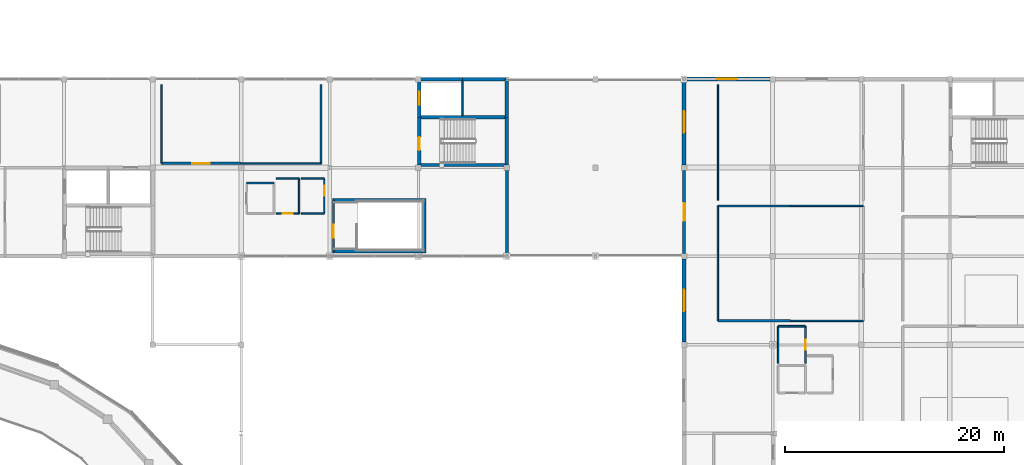
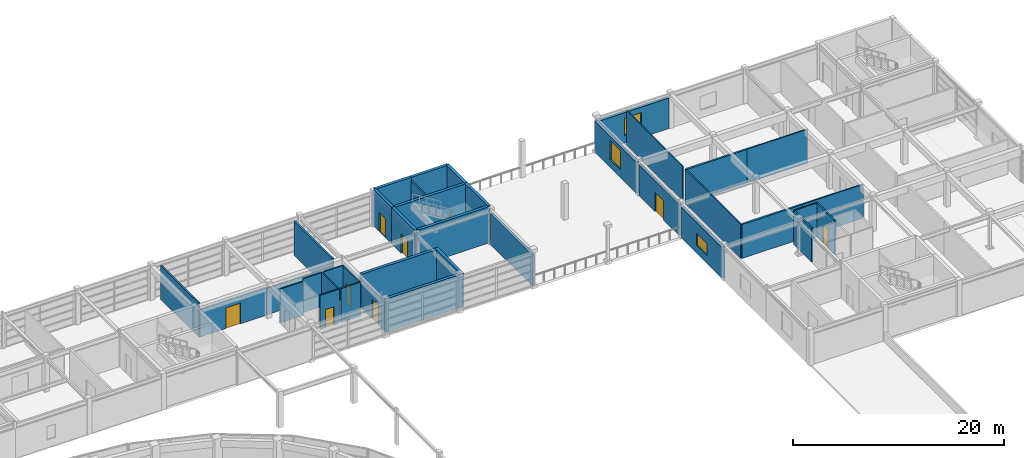
# One storey, part 44 of 54: 38 walls, 8 doors, 3 windows, 11 openings.
"""IFC4 building model written with IfcOpenShell, lengths in metres."""

from ifc_helpers import new_model, si_unit, direction, frame, frame_2d, origin, place, context, subcontext, project, spatial, rectangle, extrude, material, layer, layer_set, type_object, element, fill, save


model = new_model("IFC4")

# Units and contexts
model_context = context("Model", 3, precision=1e-05, world=origin(), true_north=direction((0.0, 1.0)))
body_context = subcontext(model_context, "Body", "Model", "MODEL_VIEW")
ifc_project = project(units=[si_unit("LENGTHUNIT", "METRE"), si_unit("AREAUNIT", "SQUARE_METRE"), si_unit("VOLUMEUNIT", "CUBIC_METRE"), si_unit("PLANEANGLEUNIT", "RADIAN"), si_unit("MASSUNIT", "GRAM", prefix="KILO")], contexts=[model_context])

# Site, building, storey
site_placement = place(None, origin())
site = spatial("IfcSite", under=ifc_project, at=site_placement, CompositionType="ELEMENT")
building_placement = place(site_placement, origin())
building = spatial("IfcBuilding", under=site, at=building_placement, Name="Parian Resonance Hall", CompositionType="ELEMENT")
storey_placement = place(building_placement, frame((0.0, 0.0, 15.0)))
storey = spatial("IfcBuildingStorey", under=building, at=storey_placement, Name="L03", CompositionType="ELEMENT", Elevation=15.0)

# Wall, opening, door
ifc_material_1 = material(Name="Concrete C40/50", Category="concrete")
ifc_layer_1 = layer(ifc_material_1, 0.31005859375)
ifc_layer_set_1 = layer_set([ifc_layer_1], Name="Concrete C40/50")
wall_type_1 = type_object("IfcWallType", Name="CW310", PredefinedType="SHEAR", material=ifc_layer_set_1)
wall_1_placement = place(storey_placement, frame((89.18994140625, 81.25, 0.0), z_axis=(0.0, 0.0, 1.0), x_axis=(0.0, 1.0, 0.0)))
wall_1 = element("IfcWall", 1, at=wall_1_placement, inside=storey, type_object=wall_type_1, Name="Core K5 stairwell west shear wall L03", PredefinedType="SHEAR", context=body_context, shape_type="SweptSolid", body=[
    extrude(rectangle(XDim=4.360107421875, YDim=0.31005859375, at=frame_2d((2.18017578125, 0.0))), origin(), (0.0, 0.0, 1.0), 4.199951171875),
])
opening_1_placement = place(wall_1_placement, frame((1.35009765625, 0.0, 0.0)))
opening_1 = element("IfcOpeningElement", 2, at=opening_1_placement, cuts=wall_1, Name="Opening FD-01", PredefinedType="OPENING", context=body_context, shape_type="SweptSolid", body=[
    extrude(rectangle(XDim=1.199951171875, YDim=2.25, at=frame_2d((0.60009765625, 1.125))), frame((0.0, 0.1650390625, 0.0), z_axis=(0.0, -1.0, 0.0), x_axis=(1.0, 0.0, 0.0)), (0.0, 0.0, 1.0), 0.330078125),
])
ifc_material_2 = material(Name="Fire-rated acoustic steel and narra timber door", Category="steel")
door_type_1 = type_object("IfcDoorType", Name="FD-01", OperationType="NOTDEFINED", PredefinedType="DOOR", material=ifc_material_2)
door_1_placement = place(opening_1_placement, origin())
door_1 = element("IfcDoor", 3, at=door_1_placement, inside=storey, type_object=door_type_1, Name="Exit stair ST-05 fire door L03", OperationType="SINGLE_SWING_LEFT", OverallHeight=2.25, OverallWidth=1.199951171875, PredefinedType="DOOR", context=body_context, shape_type="SweptSolid", body=[
    extrude(rectangle(XDim=1.199951171875, YDim=2.25, at=frame_2d((0.60009765625, 1.125))), frame((0.0, 0.02490234375, 0.0), z_axis=(0.0, -1.0, 0.0), x_axis=(1.0, 0.0, 0.0)), (0.0, 0.0, 1.0), 0.050048828125),
])
fill(opening_1, door_1)

wall_2_placement = place(storey_placement, frame((89.18994140625, 85.610107421875, 0.0), z_axis=(0.0, 0.0, 1.0), x_axis=(0.0, 1.0, 0.0)))
wall_2 = element("IfcWall", 4, at=wall_2_placement, inside=storey, type_object=wall_type_1, Name="Core K5 lift shaft west shear wall L03", PredefinedType="SHEAR", context=body_context, shape_type="SweptSolid", body=[
    extrude(rectangle(XDim=3.489990234375, YDim=0.31005859375, at=frame_2d((1.7451171875, 0.0))), origin(), (0.0, 0.0, 1.0), 4.199951171875),
])
opening_2_placement = place(wall_2_placement, frame((1.14501953125, 0.0, 0.0)))
opening_2 = element("IfcOpeningElement", 5, at=opening_2_placement, cuts=wall_2, Name="Opening LD-01", PredefinedType="OPENING", context=body_context, shape_type="SweptSolid", body=[
    extrude(rectangle(XDim=1.199951171875, YDim=2.199951171875, at=frame_2d((0.60009765625, 1.10009765625))), frame((0.0, 0.1650390625, 0.0), z_axis=(0.0, -1.0, 0.0), x_axis=(1.0, 0.0, 0.0)), (0.0, 0.0, 1.0), 0.330078125),
])
ifc_material_3 = material(Name="Stainless steel and bronze elevator cab", Category="steel")
door_type_2 = type_object("IfcDoorType", Name="DOOR-LIFT-1200x2200", OperationType="SLIDING_TO_LEFT", PredefinedType="DOOR", material=ifc_material_3)
door_2_placement = place(opening_2_placement, origin())
door_2 = element("IfcDoor", 6, at=door_2_placement, inside=storey, type_object=door_type_2, Name="Lift LF-06 sliding landing door L03", OperationType="SLIDING_TO_LEFT", OverallHeight=2.199951171875, OverallWidth=1.199951171875, PredefinedType="DOOR", context=body_context, shape_type="SweptSolid", body=[
    extrude(rectangle(XDim=1.199951171875, YDim=2.199951171875, at=frame_2d((0.60009765625, 1.10009765625))), frame((0.0, 0.02490234375, 0.0), z_axis=(0.0, -1.0, 0.0), x_axis=(1.0, 0.0, 0.0)), (0.0, 0.0, 1.0), 0.050048828125),
])
fill(opening_2, door_2)

# Walls
wall_3_placement = place(storey_placement, frame((89.18994140625, 89.10009765625, 0.0), z_axis=(0.0, 0.0, 1.0), x_axis=(1.0, 0.0, 0.0)))
element("IfcWall", 7, at=wall_3_placement, inside=storey, type_object=wall_type_1, Name="Core K5 north-west shaft wall L03", PredefinedType="SHEAR", context=body_context, shape_type="SweptSolid", body=[
    extrude(rectangle(XDim=3.9599609375, YDim=0.31005859375, at=frame_2d((1.97998046875, 0.0))), origin(), (0.0, 0.0, 1.0), 4.199951171875),
])
wall_4_placement = place(storey_placement, frame((93.14990234375, 89.10009765625, 0.0), z_axis=(0.0, 0.0, 1.0), x_axis=(1.0, 0.0, 0.0)))
element("IfcWall", 8, at=wall_4_placement, inside=storey, type_object=wall_type_1, Name="Core K5 north-east shaft wall L03", PredefinedType="SHEAR", context=body_context, shape_type="SweptSolid", body=[
    extrude(rectangle(XDim=4.02001953125, YDim=0.31005859375, at=frame_2d((2.010009765625, 0.0))), origin(), (0.0, 0.0, 1.0), 4.199951171875),
])
wall_5_placement = place(storey_placement, frame((97.169921875, 89.10009765625, 0.0), z_axis=(0.0, 0.0, 1.0), x_axis=(0.0, -1.0, 0.0)))
element("IfcWall", 9, at=wall_5_placement, inside=storey, type_object=wall_type_1, Name="Core K5 east shaft wall L03", PredefinedType="SHEAR", context=body_context, shape_type="SweptSolid", body=[
    extrude(rectangle(XDim=3.489990234375, YDim=0.31005859375, at=frame_2d((1.7451171875, 0.0))), origin(), (0.0, 0.0, 1.0), 4.199951171875),
])
wall_6_placement = place(storey_placement, frame((97.169921875, 85.610107421875, 0.0), z_axis=(0.0, 0.0, 1.0), x_axis=(0.0, -1.0, 0.0)))
element("IfcWall", 10, at=wall_6_placement, inside=storey, type_object=wall_type_1, Name="Core K5 stairwell east wall L03", PredefinedType="SHEAR", context=body_context, shape_type="SweptSolid", body=[
    extrude(rectangle(XDim=4.360107421875, YDim=0.31005859375, at=frame_2d((2.18017578125, 0.0))), origin(), (0.0, 0.0, 1.0), 4.199951171875),
])
for number, where, z_axis, x_axis, name in (
    (11, (97.169921875, 81.25, 0.0), (0.0, 0.0, 1.0), (-1.0, 0.0, 0.0), "Core K5 stairwell south wall L03"),
    (12, (89.18994140625, 85.610107421875, 0.0), (0.0, 0.0, 1.0), (1.0, 0.0, 0.0), "Core K5 stair-lift divider wall L03"),
):
    element("IfcWall", number, at=place(storey_placement, frame(where, z_axis=z_axis, x_axis=x_axis)), inside=storey, type_object=wall_type_1, Name=name, PredefinedType="SHEAR", context=body_context, shape_type="SweptSolid", body=[
        extrude(rectangle(XDim=7.97998046875, YDim=0.31005859375, at=frame_2d((3.989990234375, 0.0))), origin(), (0.0, 0.0, 1.0), 4.199951171875),
    ])
wall_7_placement = place(storey_placement, frame((81.25, 73.35009765625, 0.0), z_axis=(0.0, 0.0, 1.0), x_axis=(1.0, 0.0, 0.0)))
element("IfcWall", 13, at=wall_7_placement, inside=storey, type_object=wall_type_1, Name="Enclosed foyer exit stair ST-08 shear wall L03-S", PredefinedType="SHEAR", context=body_context, shape_type="SweptSolid", body=[
    extrude(rectangle(XDim=8.544921875, YDim=0.31005859375, at=frame_2d((4.2724609375, 0.0))), origin(), (0.0, 0.0, 1.0), 3.85009765625),
])
wall_8_placement = place(storey_placement, frame((89.639892578125, 73.195068359375, 0.0), z_axis=(0.0, 0.0, 1.0), x_axis=(0.0, 1.0, 0.0)))
element("IfcWall", 14, at=wall_8_placement, inside=storey, type_object=wall_type_1, Name="Enclosed foyer exit stair ST-08 shear wall L03-E", PredefinedType="SHEAR", context=body_context, shape_type="SweptSolid", body=[
    extrude(rectangle(XDim=4.989990234375, YDim=0.31005859375, at=frame_2d((2.4951171875, 0.0))), origin(), (0.0, 0.0, 1.0), 3.85009765625),
])
wall_9_placement = place(storey_placement, frame((89.794921875, 78.030029296875, 0.0), z_axis=(0.0, 0.0, 1.0), x_axis=(-1.0, 0.0, 0.0)))
element("IfcWall", 15, at=wall_9_placement, inside=storey, type_object=wall_type_1, Name="Enclosed foyer exit stair ST-08 shear wall L03-N", PredefinedType="SHEAR", context=body_context, shape_type="SweptSolid", body=[
    extrude(rectangle(XDim=8.544921875, YDim=0.31005859375, at=frame_2d((4.2724609375, 0.0))), origin(), (0.0, 0.0, 1.0), 3.85009765625),
])

# Wall, opening, window
ifc_material_4 = material(Name="Concrete C35/45 with Carcar coral-limestone ashlar", Category="masonry")
ifc_layer_2 = layer(ifc_material_4, 0.340087890625)
ifc_layer_set_2 = layer_set([ifc_layer_2], Name="Concrete C35/45 with Carcar coral-limestone ashlar")
wall_type_2 = type_object("IfcWallType", Name="EW-STONE-340", PredefinedType="SOLIDWALL", material=ifc_layer_set_2)
wall_10_placement = place(storey_placement, frame((121.25, 89.10009765625, 0.0), z_axis=(0.0, 0.0, 1.0), x_axis=(-1.0, 0.0, 0.0)))
wall_10 = element("IfcWall", 16, at=wall_10_placement, inside=storey, type_object=wall_type_2, Name="Perimeter closure wall L03", PredefinedType="SOLIDWALL", context=body_context, shape_type="SweptSolid", body=[
    extrude(rectangle(XDim=7.85009765625, YDim=0.340087890625, at=frame_2d((3.925048828125, 0.0))), origin(), (0.0, 0.0, 1.0), 3.527099609375),
])
opening_3_placement = place(wall_10_placement, frame((3.0, 0.0, 0.89990234375)))
opening_3 = element("IfcOpeningElement", 17, at=opening_3_placement, cuts=wall_10, Name="Opening WN-34", PredefinedType="OPENING", context=body_context, shape_type="SweptSolid", body=[
    extrude(rectangle(XDim=1.85009765625, YDim=2.0, at=frame_2d((0.925048828125, 1.0))), frame((0.0, 0.179931640625, 0.0), z_axis=(0.0, -1.0, 0.0), x_axis=(1.0, 0.0, 0.0)), (0.0, 0.0, 1.0), 0.360107421875),
])
ifc_material_5 = material(Name="Acoustic laminated double glazing", Category="glass")
window_type_1 = type_object("IfcWindowType", Name="WIN-1850x2000", PartitioningType="SINGLE_PANEL", PredefinedType="WINDOW", material=ifc_material_5)
window_1_placement = place(opening_3_placement, origin())
window_1 = element("IfcWindow", 18, at=window_1_placement, inside=storey, type_object=window_type_1, Name="Acoustic window L03-0105", OverallHeight=2.0, OverallWidth=1.85009765625, PartitioningType="SINGLE_PANEL", PredefinedType="WINDOW", context=body_context, shape_type="SweptSolid", body=[
    extrude(rectangle(XDim=1.85009765625, YDim=2.0, at=frame_2d((0.925048828125, 1.0))), frame((0.0, 0.030029296875, 0.0), z_axis=(0.0, -1.0, 0.0), x_axis=(1.0, 0.0, 0.0)), (0.0, 0.0, 1.0), 0.06005859375),
])
fill(opening_3, window_1)

wall_11_placement = place(storey_placement, frame((113.39990234375, 89.10009765625, 0.0), z_axis=(0.0, 0.0, 1.0), x_axis=(0.0, -1.0, 0.0)))
wall_11 = element("IfcWall", 19, at=wall_11_placement, inside=storey, type_object=wall_type_2, Name="Perimeter closure wall L03", PredefinedType="SOLIDWALL", context=body_context, shape_type="SweptSolid", body=[
    extrude(rectangle(XDim=7.85009765625, YDim=0.340087890625, at=frame_2d((3.925048828125, 0.0))), origin(), (0.0, 0.0, 1.0), 3.5869140625),
])
opening_4_placement = place(wall_11_placement, frame((2.925048828125, 0.0, 0.89990234375)))
opening_4 = element("IfcOpeningElement", 20, at=opening_4_placement, cuts=wall_11, Name="Opening WN-38", PredefinedType="OPENING", context=body_context, shape_type="SweptSolid", body=[
    extrude(rectangle(XDim=2.0, YDim=2.199951171875, at=frame_2d((1.0, 1.10009765625))), frame((0.0, 0.179931640625, 0.0), z_axis=(0.0, -1.0, 0.0), x_axis=(1.0, 0.0, 0.0)), (0.0, 0.0, 1.0), 0.360107421875),
])
ifc_material_6 = material(Name="Acoustic laminated double glazing", Category="glass")
window_type_2 = type_object("IfcWindowType", Name="WIN-2000x2200", PartitioningType="SINGLE_PANEL", PredefinedType="WINDOW", material=ifc_material_6)
window_2_placement = place(opening_4_placement, origin())
window_2 = element("IfcWindow", 21, at=window_2_placement, inside=storey, type_object=window_type_2, Name="Acoustic window L03-0106", OverallHeight=2.199951171875, OverallWidth=2.0, PartitioningType="SINGLE_PANEL", PredefinedType="WINDOW", context=body_context, shape_type="SweptSolid", body=[
    extrude(rectangle(XDim=2.0, YDim=2.199951171875, at=frame_2d((1.0, 1.10009765625))), frame((0.0, 0.030029296875, 0.0), z_axis=(0.0, -1.0, 0.0), x_axis=(1.0, 0.0, 0.0)), (0.0, 0.0, 1.0), 0.06005859375),
])
fill(opening_4, window_2)

wall_12_placement = place(storey_placement, frame((113.39990234375, 72.64990234375, 0.0), z_axis=(0.0, 0.0, 1.0), x_axis=(0.0, -1.0, 0.0)))
wall_12 = element("IfcWall", 22, at=wall_12_placement, inside=storey, type_object=wall_type_2, Name="Perimeter closure wall L03", PredefinedType="SOLIDWALL", context=body_context, shape_type="SweptSolid", body=[
    extrude(rectangle(XDim=7.599853515625, YDim=0.340087890625, at=frame_2d((3.7998046875, 0.0))), origin(), (0.0, 0.0, 1.0), 3.5869140625),
])
opening_5_placement = place(wall_12_placement, frame((2.800048828125, 0.0, 0.89990234375)))
opening_5 = element("IfcOpeningElement", 23, at=opening_5_placement, cuts=wall_12, Name="Opening WN-36", PredefinedType="OPENING", context=body_context, shape_type="SweptSolid", body=[
    extrude(rectangle(XDim=2.0, YDim=1.39990234375, at=frame_2d((1.0, 0.699951171875))), frame((0.0, 0.179931640625, 0.0), z_axis=(0.0, -1.0, 0.0), x_axis=(1.0, 0.0, 0.0)), (0.0, 0.0, 1.0), 0.360107421875),
])
ifc_material_7 = material(Name="Acoustic laminated double glazing", Category="glass")
window_type_3 = type_object("IfcWindowType", Name="WIN-2000x1400", PartitioningType="SINGLE_PANEL", PredefinedType="WINDOW", material=ifc_material_7)
window_3_placement = place(opening_5_placement, origin())
window_3 = element("IfcWindow", 24, at=window_3_placement, inside=storey, type_object=window_type_3, Name="Acoustic window L03-0107", OverallHeight=1.39990234375, OverallWidth=2.0, PartitioningType="SINGLE_PANEL", PredefinedType="WINDOW", context=body_context, shape_type="SweptSolid", body=[
    extrude(rectangle(XDim=2.0, YDim=1.39990234375, at=frame_2d((1.0, 0.699951171875))), frame((0.0, 0.030029296875, 0.0), z_axis=(0.0, -1.0, 0.0), x_axis=(1.0, 0.0, 0.0)), (0.0, 0.0, 1.0), 0.06005859375),
])
fill(opening_5, window_3)

# Wall
ifc_material_8 = material(Name="Concrete C35/45 with Carcar coral-limestone ashlar", Category="masonry")
ifc_layer_3 = layer(ifc_material_8, 0.27001953125)
ifc_layer_set_3 = layer_set([ifc_layer_3], Name="Concrete C35/45 with Carcar coral-limestone ashlar")
wall_type_3 = type_object("IfcWallType", Name="EW-STUDIO-270", PredefinedType="SOLIDWALL", material=ifc_layer_set_3)
wall_13_placement = place(storey_placement, frame((97.199951171875, 80.75, 0.0), z_axis=(0.0, 0.0, 1.0), x_axis=(0.0, -1.0, 0.0)))
element("IfcWall", 25, at=wall_13_placement, inside=storey, type_object=wall_type_3, Name="Exterior wall EW-L03-0151", PredefinedType="SOLIDWALL", context=body_context, shape_type="SweptSolid", body=[
    extrude(rectangle(XDim=7.85009765625, YDim=0.27001953125, at=frame_2d((3.925048828125, 0.0))), origin(), (0.0, 0.0, 1.0), 3.596923828125),
])

# Wall, opening, door
wall_14_placement = place(storey_placement, frame((113.39990234375, 73.14990234375, 0.0), z_axis=(0.0, 0.0, 1.0), x_axis=(0.0, 1.0, 0.0)))
wall_14 = element("IfcWall", 26, at=wall_14_placement, inside=storey, type_object=wall_type_3, Name="Exterior wall EW-L03-0152", PredefinedType="SOLIDWALL", context=body_context, shape_type="SweptSolid", body=[
    extrude(rectangle(XDim=7.60009765625, YDim=0.27001953125, at=frame_2d((3.800048828125, 0.0))), origin(), (0.0, 0.0, 1.0), 3.5869140625),
])
opening_6_placement = place(wall_14_placement, frame((2.989990234375, 0.0, 0.0)))
opening_6 = element("IfcOpeningElement", 27, at=opening_6_placement, cuts=wall_14, Name="Opening TD-02", PredefinedType="OPENING", context=body_context, shape_type="SweptSolid", body=[
    extrude(rectangle(XDim=1.6201171875, YDim=2.219970703125, at=frame_2d((0.81005859375, 1.10986328125))), frame((0.0, 0.14501953125, 0.0), z_axis=(0.0, -1.0, 0.0), x_axis=(1.0, 0.0, 0.0)), (0.0, 0.0, 1.0), 0.2900390625),
])
ifc_material_9 = material(Name="Marine-grade bronze and acoustic glazed door")
door_type_3 = type_object("IfcDoorType", Name="ED-TERR-1620x2220", OperationType="NOTDEFINED", PredefinedType="DOOR", material=ifc_material_9)
door_3_placement = place(opening_6_placement, origin())
door_3 = element("IfcDoor", 28, at=door_3_placement, inside=storey, type_object=door_type_3, Name="Courtyard Roof Terrace studio access door TD-L03-E", OperationType="SINGLE_SWING_LEFT", OverallHeight=2.219970703125, OverallWidth=1.6201171875, PredefinedType="DOOR", context=body_context, shape_type="SweptSolid", body=[
    extrude(rectangle(XDim=1.6201171875, YDim=2.219970703125, at=frame_2d((0.81005859375, 1.10986328125))), frame((0.0, 0.02490234375, 0.0), z_axis=(0.0, -1.0, 0.0), x_axis=(1.0, 0.0, 0.0)), (0.0, 0.0, 1.0), 0.050048828125),
])
fill(opening_6, door_3)

ifc_material_10 = material(Name="Concrete C35/45 fire barrier", Category="concrete")
ifc_layer_4 = layer(ifc_material_10, 0.199951171875)
ifc_layer_set_4 = layer_set([ifc_layer_4], Name="Concrete C35/45 fire barrier")
wall_type_4 = type_object("IfcWallType", Name="FW200", PredefinedType="PARTITIONING", material=ifc_layer_set_4)
wall_15_placement = place(storey_placement, frame((81.35009765625, 73.35009765625, 0.0), z_axis=(0.0, 0.0, 1.0), x_axis=(0.0, 1.0, 0.0)))
wall_15 = element("IfcWall", 29, at=wall_15_placement, inside=storey, type_object=wall_type_4, Name="Enclosed foyer exit stair ST-08 fire-door front wall L03", PredefinedType="PARTITIONING", context=body_context, shape_type="SweptSolid", body=[
    extrude(rectangle(XDim=4.679931640625, YDim=0.199951171875, at=frame_2d((2.33984375, 0.0))), origin(), (0.0, 0.0, 1.0), 3.5),
])
opening_7_placement = place(wall_15_placement, frame((1.25, 0.0, 0.0)))
opening_7 = element("IfcOpeningElement", 30, at=opening_7_placement, cuts=wall_15, Name="Opening FD-01", PredefinedType="OPENING", context=body_context, shape_type="SweptSolid", body=[
    extrude(rectangle(XDim=1.199951171875, YDim=2.25, at=frame_2d((0.60009765625, 1.125))), frame((0.0, 0.10986328125, 0.0), z_axis=(0.0, -1.0, 0.0), x_axis=(1.0, 0.0, 0.0)), (0.0, 0.0, 1.0), 0.219970703125),
])
door_4_placement = place(opening_7_placement, origin())
door_4 = element("IfcDoor", 31, at=door_4_placement, inside=storey, type_object=door_type_1, Name="Exit stair ST-08 fire door L03", OperationType="SINGLE_SWING_LEFT", OverallHeight=2.25, OverallWidth=1.199951171875, PredefinedType="DOOR", context=body_context, shape_type="SweptSolid", body=[
    extrude(rectangle(XDim=1.199951171875, YDim=2.25, at=frame_2d((0.60009765625, 1.125))), frame((0.0, 0.02490234375, 0.0), z_axis=(0.0, -1.0, 0.0), x_axis=(1.0, 0.0, 0.0)), (0.0, 0.0, 1.0), 0.050048828125),
])
fill(opening_7, door_4)

# Wall
wall_16_placement = place(storey_placement, frame((80.199951171875, 88.60009765625, 0.0), z_axis=(0.0, 0.0, 1.0), x_axis=(0.0, -1.0, 0.0)))
element("IfcWall", 32, at=wall_16_placement, inside=storey, type_object=wall_type_4, Name="Interior acoustic partition IW-L03-0228", PredefinedType="PARTITIONING", context=body_context, shape_type="SweptSolid", body=[
    extrude(rectangle(XDim=7.2001953125, YDim=0.199951171875, at=frame_2d((3.60009765625, 0.0))), origin(), (0.0, 0.0, 1.0), 3.919921875),
])

# Wall, opening, door
wall_17_placement = place(storey_placement, frame((72.89990234375, 81.39990234375, 0.0), z_axis=(0.0, 0.0, 1.0), x_axis=(-1.0, 0.0, 0.0)))
wall_17 = element("IfcWall", 33, at=wall_17_placement, inside=storey, type_object=wall_type_4, Name="Interior acoustic partition IW-L03-0230", PredefinedType="PARTITIONING", context=body_context, shape_type="SweptSolid", body=[
    extrude(rectangle(XDim=7.2998046875, YDim=0.199951171875, at=frame_2d((3.64990234375, 0.0))), origin(), (0.0, 0.0, 1.0), 3.154052734375),
])
opening_8_placement = place(wall_17_placement, frame((2.85009765625, 0.0, 0.0)))
opening_8 = element("IfcOpeningElement", 34, at=opening_8_placement, cuts=wall_17, Name="Opening ID-07", PredefinedType="OPENING", context=body_context, shape_type="SweptSolid", body=[
    extrude(rectangle(XDim=1.60009765625, YDim=2.39990234375, at=frame_2d((0.800048828125, 1.199951171875))), frame((0.0, 0.10986328125, 0.0), z_axis=(0.0, -1.0, 0.0), x_axis=(1.0, 0.0, 0.0)), (0.0, 0.0, 1.0), 0.219970703125),
])
ifc_material_11 = material(Name="Fire-rated acoustic steel and narra timber door", Category="steel")
door_type_4 = type_object("IfcDoorType", Name="ID-REC-1600x2400", OperationType="NOTDEFINED", PredefinedType="DOOR", material=ifc_material_11)
door_5_placement = place(opening_8_placement, origin())
door_5 = element("IfcDoor", 35, at=door_5_placement, inside=storey, type_object=door_type_4, Name="Music Pedagogy Seminar Room 02 door", OperationType="SINGLE_SWING_RIGHT", OverallHeight=2.39990234375, OverallWidth=1.60009765625, PredefinedType="DOOR", context=body_context, shape_type="SweptSolid", body=[
    extrude(rectangle(XDim=1.60009765625, YDim=2.39990234375, at=frame_2d((0.800048828125, 1.199951171875))), frame((0.0, 0.02490234375, 0.0), z_axis=(0.0, -1.0, 0.0), x_axis=(1.0, 0.0, 0.0)), (0.0, 0.0, 1.0), 0.050048828125),
])
fill(opening_8, door_5)

# Walls
for number, where, z_axis, x_axis, name in (
    (36, (123.14990234375, 67.0, 0.0), (0.0, 0.0, 1.0), (-1.0, 0.0, 0.0), "Interior acoustic partition IW-L03-0240"),
    (37, (116.5, 77.5, 0.0), (0.0, 0.0, 1.0), (1.0, 0.0, 0.0), "Interior acoustic partition IW-L03-0242"),
):
    element("IfcWall", number, at=place(storey_placement, frame(where, z_axis=z_axis, x_axis=x_axis)), inside=storey, type_object=wall_type_4, Name=name, PredefinedType="PARTITIONING", context=body_context, shape_type="SweptSolid", body=[
        extrude(rectangle(XDim=6.64990234375, YDim=0.199951171875, at=frame_2d((3.324951171875, 0.0))), origin(), (0.0, 0.0, 1.0), 3.919921875),
    ])
ifc_material_12 = material(Name="Concrete C35/45 acoustic masonry partition", Category="masonry")
ifc_layer_5 = layer(ifc_material_12, 0.1201171875)
ifc_layer_set_5 = layer_set([ifc_layer_5], Name="Concrete C35/45 acoustic masonry partition")
wall_type_5 = type_object("IfcWallType", Name="PW120", PredefinedType="PARTITIONING", material=ifc_layer_set_5)
wall_18_placement = place(storey_placement, frame((116.5, 78.0, 0.0), z_axis=(0.0, 0.0, 1.0), x_axis=(0.0, 1.0, 0.0)))
element("IfcWall", 38, at=wall_18_placement, inside=storey, type_object=wall_type_5, Name="Interior acoustic partition IW-L03-0245", PredefinedType="PARTITIONING", context=body_context, shape_type="SweptSolid", body=[
    extrude(rectangle(XDim=10.60009765625, YDim=0.1201171875, at=frame_2d((5.300048828125, 0.0))), origin(), (0.0, 0.0, 1.0), 3.919921875),
])
ifc_material_13 = material(Name="Concrete C35/45 acoustic masonry partition", Category="masonry")
ifc_layer_6 = layer(ifc_material_13, 0.139892578125)
ifc_layer_set_6 = layer_set([ifc_layer_6], Name="Concrete C35/45 acoustic masonry partition")
wall_type_6 = type_object("IfcWallType", Name="PW140", PredefinedType="PARTITIONING", material=ifc_layer_set_6)
wall_19_placement = place(storey_placement, frame((80.199951171875, 81.39990234375, 0.0), z_axis=(0.0, 0.0, 1.0), x_axis=(-1.0, 0.0, 0.0)))
element("IfcWall", 39, at=wall_19_placement, inside=storey, type_object=wall_type_6, Name="Interior acoustic partition IW-L03-0229", PredefinedType="PARTITIONING", context=body_context, shape_type="SweptSolid", body=[
    extrude(rectangle(XDim=7.300048828125, YDim=0.139892578125, at=frame_2d((3.64990234375, 0.0))), origin(), (0.0, 0.0, 1.0), 3.053955078125),
])
wall_20_placement = place(storey_placement, frame((65.60009765625, 81.39990234375, 0.0), z_axis=(0.0, 0.0, 1.0), x_axis=(0.0, 1.0, 0.0)))
element("IfcWall", 40, at=wall_20_placement, inside=storey, type_object=wall_type_6, Name="Interior acoustic partition IW-L03-0231", PredefinedType="PARTITIONING", context=body_context, shape_type="SweptSolid", body=[
    extrude(rectangle(XDim=7.2001953125, YDim=0.139892578125, at=frame_2d((3.60009765625, 0.0))), origin(), (0.0, 0.0, 1.0), 3.919921875),
])
wall_21_placement = place(storey_placement, frame((129.800048828125, 67.0, 0.0), z_axis=(0.0, 0.0, 1.0), x_axis=(-1.0, 0.0, 0.0)))
element("IfcWall", 41, at=wall_21_placement, inside=storey, type_object=wall_type_6, Name="Interior acoustic partition IW-L03-0239", PredefinedType="PARTITIONING", context=body_context, shape_type="SweptSolid", body=[
    extrude(rectangle(XDim=6.650146484375, YDim=0.139892578125, at=frame_2d((3.3251953125, 0.0))), origin(), (0.0, 0.0, 1.0), 3.919921875),
])
wall_22_placement = place(storey_placement, frame((116.5, 67.0, 0.0), z_axis=(0.0, 0.0, 1.0), x_axis=(0.0, 1.0, 0.0)))
element("IfcWall", 42, at=wall_22_placement, inside=storey, type_object=wall_type_6, Name="Interior acoustic partition IW-L03-0241", PredefinedType="PARTITIONING", context=body_context, shape_type="SweptSolid", body=[
    extrude(rectangle(XDim=10.5, YDim=0.139892578125, at=frame_2d((5.25, 0.0))), origin(), (0.0, 0.0, 1.0), 3.919921875),
])
wall_23_placement = place(storey_placement, frame((123.14990234375, 77.5, 0.0), z_axis=(0.0, 0.0, 1.0), x_axis=(1.0, 0.0, 0.0)))
element("IfcWall", 43, at=wall_23_placement, inside=storey, type_object=wall_type_6, Name="Interior acoustic partition IW-L03-0243", PredefinedType="PARTITIONING", context=body_context, shape_type="SweptSolid", body=[
    extrude(rectangle(XDim=6.650146484375, YDim=0.139892578125, at=frame_2d((3.3251953125, 0.0))), origin(), (0.0, 0.0, 1.0), 3.919921875),
])
ifc_material_14 = material(Name="Concrete C35/45 acoustic plumbing chase wall", Category="concrete")
ifc_layer_7 = layer(ifc_material_14, 0.14990234375)
ifc_layer_set_7 = layer_set([ifc_layer_7], Name="Concrete C35/45 acoustic plumbing chase wall")
wall_type_7 = type_object("IfcWallType", Name="PW150", PredefinedType="PLUMBINGWALL", material=ifc_layer_set_7)
wall_24_placement = place(storey_placement, frame((93.14990234375, 85.77001953125, 0.0), z_axis=(0.0, 0.0, 1.0), x_axis=(0.0, 1.0, 0.0)))
element("IfcWall", 44, at=wall_24_placement, inside=storey, type_object=wall_type_7, Name="Core K5 shaft plumbing/riser divider L03", PredefinedType="PLUMBINGWALL", context=body_context, shape_type="SweptSolid", body=[
    extrude(rectangle(XDim=3.169921875, YDim=0.14990234375, at=frame_2d((1.5849609375, 0.0))), origin(), (0.0, 0.0, 1.0), 3.85009765625),
])
wall_25_placement = place(storey_placement, frame((73.39990234375, 79.60009765625, 0.0), z_axis=(0.0, 0.0, 1.0), x_axis=(1.0, 0.0, 0.0)))
element("IfcWall", 45, at=wall_25_placement, inside=storey, type_object=wall_type_7, Name="Interior acoustic partition IW-L03-0208", PredefinedType="PLUMBINGWALL", context=body_context, shape_type="SweptSolid", body=[
    extrude(rectangle(XDim=2.5, YDim=0.14990234375, at=frame_2d((1.25, 0.0))), origin(), (0.0, 0.0, 1.0), 3.919921875),
])
wall_26_placement = place(storey_placement, frame((78.199951171875, 80.0, 0.0), z_axis=(0.0, 0.0, 1.0), x_axis=(0.0, -1.0, 0.0)))
element("IfcWall", 46, at=wall_26_placement, inside=storey, type_object=wall_type_7, Name="Interior acoustic partition IW-L03-0209", PredefinedType="PLUMBINGWALL", context=body_context, shape_type="SweptSolid", body=[
    extrude(rectangle(XDim=3.199951171875, YDim=0.14990234375, at=frame_2d((1.60009765625, 0.0))), origin(), (0.0, 0.0, 1.0), 3.919921875),
])

# Wall, opening, door
wall_27_placement = place(storey_placement, frame((78.199951171875, 76.800048828125, 0.0), z_axis=(0.0, 0.0, 1.0), x_axis=(-1.0, 0.0, 0.0)))
wall_27 = element("IfcWall", 47, at=wall_27_placement, inside=storey, type_object=wall_type_7, Name="Interior acoustic partition IW-L03-0210", PredefinedType="PLUMBINGWALL", context=body_context, shape_type="SweptSolid", body=[
    extrude(rectangle(XDim=2.099853515625, YDim=0.14990234375, at=frame_2d((1.0498046875, 0.0))), origin(), (0.0, 0.0, 1.0), 3.919921875),
])
opening_9_placement = place(wall_27_placement, frame((0.60009765625, 0.0, 0.0)))
opening_9 = element("IfcOpeningElement", 48, at=opening_9_placement, cuts=wall_27, Name="Opening ID-22", PredefinedType="OPENING", context=body_context, shape_type="SweptSolid", body=[
    extrude(rectangle(XDim=0.89990234375, YDim=2.10009765625, at=frame_2d((0.449951171875, 1.050048828125))), frame((0.0, 0.0849609375, 0.0), z_axis=(0.0, -1.0, 0.0), x_axis=(1.0, 0.0, 0.0)), (0.0, 0.0, 1.0), 0.169921875),
])
ifc_material_15 = material(Name="Philippine narra acoustic timber door", Category="wood")
door_type_5 = type_object("IfcDoorType", Name="ID-WC-0900x2100", OperationType="NOTDEFINED", PredefinedType="DOOR", material=ifc_material_15)
door_6_placement = place(opening_9_placement, origin())
door_6 = element("IfcDoor", 49, at=door_6_placement, inside=storey, type_object=door_type_5, Name="Male Restroom W1 door", OperationType="SINGLE_SWING_LEFT", OverallHeight=2.10009765625, OverallWidth=0.89990234375, PredefinedType="DOOR", context=body_context, shape_type="SweptSolid", body=[
    extrude(rectangle(XDim=0.89990234375, YDim=2.10009765625, at=frame_2d((0.449951171875, 1.050048828125))), frame((0.0, 0.02490234375, 0.0), z_axis=(0.0, -1.0, 0.0), x_axis=(1.0, 0.0, 0.0)), (0.0, 0.0, 1.0), 0.050048828125),
])
fill(opening_9, door_6)

# Wall
wall_28_placement = place(storey_placement, frame((76.10009765625, 80.0, 0.0), z_axis=(0.0, 0.0, 1.0), x_axis=(1.0, 0.0, 0.0)))
element("IfcWall", 50, at=wall_28_placement, inside=storey, type_object=wall_type_7, Name="Interior acoustic partition IW-L03-0211", PredefinedType="PLUMBINGWALL", context=body_context, shape_type="SweptSolid", body=[
    extrude(rectangle(XDim=2.099853515625, YDim=0.14990234375, at=frame_2d((1.0498046875, 0.0))), origin(), (0.0, 0.0, 1.0), 3.919921875),
])

# Wall, opening, door
wall_29_placement = place(storey_placement, frame((80.5, 80.0, 0.0), z_axis=(0.0, 0.0, 1.0), x_axis=(0.0, -1.0, 0.0)))
wall_29 = element("IfcWall", 51, at=wall_29_placement, inside=storey, type_object=wall_type_7, Name="Interior acoustic partition IW-L03-0212", PredefinedType="PLUMBINGWALL", context=body_context, shape_type="SweptSolid", body=[
    extrude(rectangle(XDim=3.199951171875, YDim=0.14990234375, at=frame_2d((1.60009765625, 0.0))), origin(), (0.0, 0.0, 1.0), 3.919921875),
])
opening_10_placement = place(wall_29_placement, frame((0.669921875, 0.0, 0.0)))
opening_10 = element("IfcOpeningElement", 52, at=opening_10_placement, cuts=wall_29, Name="Opening ID-23", PredefinedType="OPENING", context=body_context, shape_type="SweptSolid", body=[
    extrude(rectangle(XDim=0.89990234375, YDim=2.199951171875, at=frame_2d((0.449951171875, 1.10009765625))), frame((0.0, 0.0849609375, 0.0), z_axis=(0.0, -1.0, 0.0), x_axis=(1.0, 0.0, 0.0)), (0.0, 0.0, 1.0), 0.169921875),
])
ifc_material_16 = material(Name="Philippine narra acoustic timber door", Category="wood")
door_type_6 = type_object("IfcDoorType", Name="ID-WC-0900x2200", OperationType="NOTDEFINED", PredefinedType="DOOR", material=ifc_material_16)
door_7_placement = place(opening_10_placement, origin())
door_7 = element("IfcDoor", 53, at=door_7_placement, inside=storey, type_object=door_type_6, Name="Female Restroom W1 door", OperationType="SINGLE_SWING_RIGHT", OverallHeight=2.199951171875, OverallWidth=0.89990234375, PredefinedType="DOOR", context=body_context, shape_type="SweptSolid", body=[
    extrude(rectangle(XDim=0.89990234375, YDim=2.199951171875, at=frame_2d((0.449951171875, 1.10009765625))), frame((0.0, 0.02490234375, 0.0), z_axis=(0.0, -1.0, 0.0), x_axis=(1.0, 0.0, 0.0)), (0.0, 0.0, 1.0), 0.050048828125),
])
fill(opening_10, door_7)

# Walls
for number, where, z_axis, x_axis, name in (
    (54, (80.5, 76.800048828125, 0.0), (0.0, 0.0, 1.0), (-1.0, 0.0, 0.0), "Interior acoustic partition IW-L03-0213"),
    (55, (78.39990234375, 80.0, 0.0), (0.0, 0.0, 1.0), (1.0, 0.0, 0.0), "Interior acoustic partition IW-L03-0214"),
):
    element("IfcWall", number, at=place(storey_placement, frame(where, z_axis=z_axis, x_axis=x_axis)), inside=storey, type_object=wall_type_7, Name=name, PredefinedType="PLUMBINGWALL", context=body_context, shape_type="SweptSolid", body=[
        extrude(rectangle(XDim=2.10009765625, YDim=0.14990234375, at=frame_2d((1.050048828125, 0.0))), origin(), (0.0, 0.0, 1.0), 3.919921875),
    ])

# Wall, opening, door
wall_30_placement = place(storey_placement, frame((124.5, 66.5, 0.0), z_axis=(0.0, 0.0, 1.0), x_axis=(0.0, -1.0, 0.0)))
wall_30 = element("IfcWall", 56, at=wall_30_placement, inside=storey, type_object=wall_type_7, Name="Interior acoustic partition IW-L03-0222", PredefinedType="PLUMBINGWALL", context=body_context, shape_type="SweptSolid", body=[
    extrude(rectangle(XDim=3.39990234375, YDim=0.14990234375, at=frame_2d((1.699951171875, 0.0))), origin(), (0.0, 0.0, 1.0), 3.919921875),
])
opening_11_placement = place(wall_30_placement, frame((1.25, 0.0, 0.0)))
opening_11 = element("IfcOpeningElement", 57, at=opening_11_placement, cuts=wall_30, Name="Opening ID-22", PredefinedType="OPENING", context=body_context, shape_type="SweptSolid", body=[
    extrude(rectangle(XDim=0.89990234375, YDim=2.10009765625, at=frame_2d((0.449951171875, 1.050048828125))), frame((0.0, 0.0849609375, 0.0), z_axis=(0.0, -1.0, 0.0), x_axis=(1.0, 0.0, 0.0)), (0.0, 0.0, 1.0), 0.169921875),
])
door_8_placement = place(opening_11_placement, origin())
door_8 = element("IfcDoor", 58, at=door_8_placement, inside=storey, type_object=door_type_5, Name="Male Restroom W2 door", OperationType="SINGLE_SWING_LEFT", OverallHeight=2.10009765625, OverallWidth=0.89990234375, PredefinedType="DOOR", context=body_context, shape_type="SweptSolid", body=[
    extrude(rectangle(XDim=0.89990234375, YDim=2.10009765625, at=frame_2d((0.449951171875, 1.050048828125))), frame((0.0, 0.02490234375, 0.0), z_axis=(0.0, -1.0, 0.0), x_axis=(1.0, 0.0, 0.0)), (0.0, 0.0, 1.0), 0.050048828125),
])
fill(opening_11, door_8)

# Walls
wall_31_placement = place(storey_placement, frame((122.0, 63.10009765625, 0.0), z_axis=(0.0, 0.0, 1.0), x_axis=(0.0, 1.0, 0.0)))
element("IfcWall", 59, at=wall_31_placement, inside=storey, type_object=wall_type_7, Name="Interior acoustic partition IW-L03-0223", PredefinedType="PLUMBINGWALL", context=body_context, shape_type="SweptSolid", body=[
    extrude(rectangle(XDim=3.39990234375, YDim=0.14990234375, at=frame_2d((1.699951171875, 0.0))), origin(), (0.0, 0.0, 1.0), 3.919921875),
])
wall_32_placement = place(storey_placement, frame((122.0, 66.5, 0.0), z_axis=(0.0, 0.0, 1.0), x_axis=(1.0, 0.0, 0.0)))
element("IfcWall", 60, at=wall_32_placement, inside=storey, type_object=wall_type_7, Name="Interior acoustic partition IW-L03-0224", PredefinedType="PLUMBINGWALL", context=body_context, shape_type="SweptSolid", body=[
    extrude(rectangle(XDim=2.5, YDim=0.14990234375, at=frame_2d((1.25, 0.0))), origin(), (0.0, 0.0, 1.0), 3.919921875),
])

save(model, "model.ifc")
